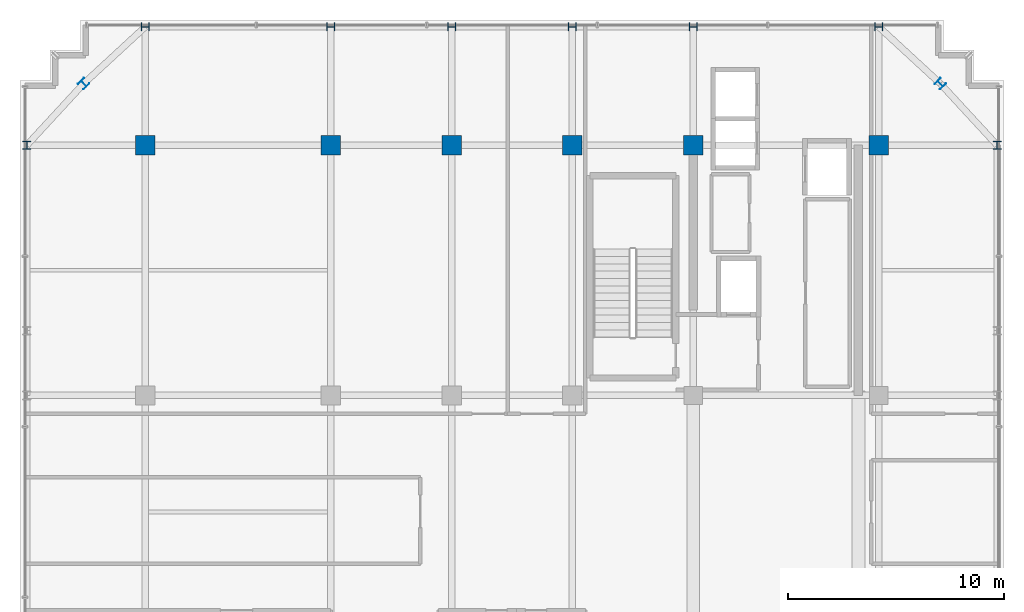
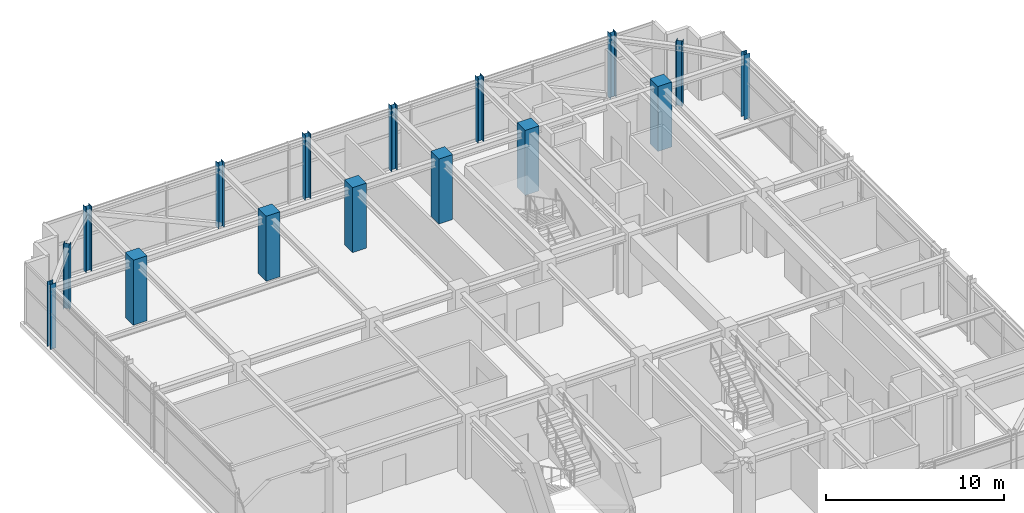
# One storey, part 3 of 26: 16 columns.
"""IFC4 building model written with IfcOpenShell, lengths in metres."""

from ifc_helpers import new_model, si_unit, direction, frame, origin, origin_2d, place, context, subcontext, project, spatial, rectangle, i_section, extrude, source, transform, mapped, material, material_profile, profile_set, type_object, element, save


model = new_model("IFC4")

# Units and contexts
model_context = context("Model", 3, precision=1e-05, world=origin(), true_north=direction((0.0, 1.0)))
body_context = subcontext(model_context, "Body", "Model", "MODEL_VIEW")
ifc_project = project(units=[si_unit("LENGTHUNIT", "METRE"), si_unit("AREAUNIT", "SQUARE_METRE"), si_unit("VOLUMEUNIT", "CUBIC_METRE"), si_unit("PLANEANGLEUNIT", "RADIAN"), si_unit("MASSUNIT", "GRAM", prefix="KILO")], contexts=[model_context])

# Site, building, storey
site_placement = place(None, origin())
site = spatial("IfcSite", under=ifc_project, at=site_placement, CompositionType="ELEMENT")
building_placement = place(site_placement, origin())
building = spatial("IfcBuilding", under=site, at=building_placement, Name="Nahalor Promenade Grand Hotel", CompositionType="ELEMENT")
storey_placement = place(building_placement, frame((0.0, 0.0, 343.050048828125)))
storey = spatial("IfcBuildingStorey", under=building, at=storey_placement, Name="L88", CompositionType="ELEMENT", Elevation=343.050048828125)

# Columns
ifc_material_1 = material(Name="Concrete B-50 (C40/50)", Category="concrete")
ifc_material_profile_1 = material_profile(ifc_material_1, rectangle(XDim=0.9, YDim=0.9, at=origin_2d()), Name="RC 900x900")
ifc_profile_set_1 = profile_set([ifc_material_profile_1], Name="Concrete B-50 (C40/50)")
column_type_1 = type_object("IfcColumnType", Name="Col-RC-900", PredefinedType="COLUMN", material=ifc_profile_set_1)
shared_shape_1 = source(origin(), body_context, "Body", "SweptSolid", [
    extrude(rectangle(XDim=0.9, YDim=0.9, at=origin_2d()), origin(), (0.0, 0.0, 1.0), 4.454833984375),
])
for number, where, z_axis, x_axis, name in (
    (1, (-17.0, 17.0, 0.0), (0.0, 0.0, 1.0), (1.0, 0.0, 0.0), "COL-L88-I03"),
    (2, (-8.39990234375, 17.0, 0.0), (0.0, 0.0, 1.0), (1.0, 0.0, 0.0), "COL-L88-I13"),
    (3, (-2.800048828125, 17.0, 0.0), (0.0, 0.0, 1.0), (1.0, 0.0, 0.0), "COL-L88-I23"),
    (4, (2.800048828125, 17.0, 0.0), (0.0, 0.0, 1.0), (1.0, 0.0, 0.0), "COL-L88-I33"),
    (5, (8.39990234375, 17.0, 0.0), (0.0, 0.0, 1.0), (1.0, 0.0, 0.0), "COL-L88-I43"),
    (6, (17.0, 17.0, 0.0), (0.0, 0.0, 1.0), (1.0, 0.0, 0.0), "COL-L88-I53"),
):
    element("IfcColumn", number, at=place(storey_placement, frame(where, z_axis=z_axis, x_axis=x_axis)), inside=storey, type_object=column_type_1, Name=name, PredefinedType="COLUMN", context=body_context, shape_type="MappedRepresentation", body=[
        mapped(shared_shape_1, transform((0.0, 0.0, 0.0), scale=1.0)),
    ])
ifc_material_2 = material(Name="Steel S355JR", Category="steel")
ifc_material_profile_2 = material_profile(ifc_material_2, i_section(OverallWidth=0.374, OverallDepth=0.374, WebThickness=0.0144, FlangeThickness=0.0229, at=origin_2d()), Name="HD 360x262")
ifc_profile_set_2 = profile_set([ifc_material_profile_2], Name="Steel S355JR")
column_type_2 = type_object("IfcColumnType", Name="Col-Steel-HD262", PredefinedType="COLUMN", material=ifc_profile_set_2)
shared_shape_2 = source(origin(), body_context, "Body", "SweptSolid", [
    extrude(i_section(OverallWidth=0.374, OverallDepth=0.374, WebThickness=0.0144, FlangeThickness=0.0229, at=origin_2d()), origin(), (0.0, 0.0, 1.0), 4.454833984375),
])
for number, where, z_axis, x_axis, name in (
    (7, (-22.47998046875, 17.0, 0.0), (0.0, 0.0, 1.0), (1.0, 0.0, 0.0), "COL-L88-PW-W5"),
    (8, (22.47998046875, 17.0, 0.0), (0.0, 0.0, 1.0), (1.0, 0.0, 0.0), "COL-L88-PW-E5"),
    (9, (-17.0, 22.47998046875, 0.0), (0.0, 0.0, 1.0), (0.0, 1.0, 0.0), "COL-L88-PN-N0"),
    (10, (-8.39990234375, 22.47998046875, 0.0), (0.0, 0.0, 1.0), (0.0, 1.0, 0.0), "COL-L88-PN-N1"),
    (11, (-2.800048828125, 22.47998046875, 0.0), (0.0, 0.0, 1.0), (0.0, 1.0, 0.0), "COL-L88-PN-N2"),
    (12, (2.800048828125, 22.47998046875, 0.0), (0.0, 0.0, 1.0), (0.0, 1.0, 0.0), "COL-L88-PN-N3"),
    (13, (8.39990234375, 22.47998046875, 0.0), (0.0, 0.0, 1.0), (0.0, 1.0, 0.0), "COL-L88-PN-N4"),
    (14, (17.0, 22.47998046875, 0.0), (0.0, 0.0, 1.0), (0.0, 1.0, 0.0), "COL-L88-PN-N5"),
    (15, (-19.85009765625, 19.85009765625, 0.0), (0.0, 0.0, 1.0), (0.707106781187, 0.707106781187, 0.0), "COL-L88-CRN-NW"),
    (16, (19.85009765625, 19.85009765625, 0.0), (0.0, 0.0, 1.0), (0.707106781187, 0.707106781187, 0.0), "COL-L88-CRN-NE"),
):
    element("IfcColumn", number, at=place(storey_placement, frame(where, z_axis=z_axis, x_axis=x_axis)), inside=storey, type_object=column_type_2, Name=name, PredefinedType="COLUMN", context=body_context, shape_type="MappedRepresentation", body=[
        mapped(shared_shape_2, transform((0.0, 0.0, 0.0), scale=1.0)),
    ])

save(model, "model.ifc")
